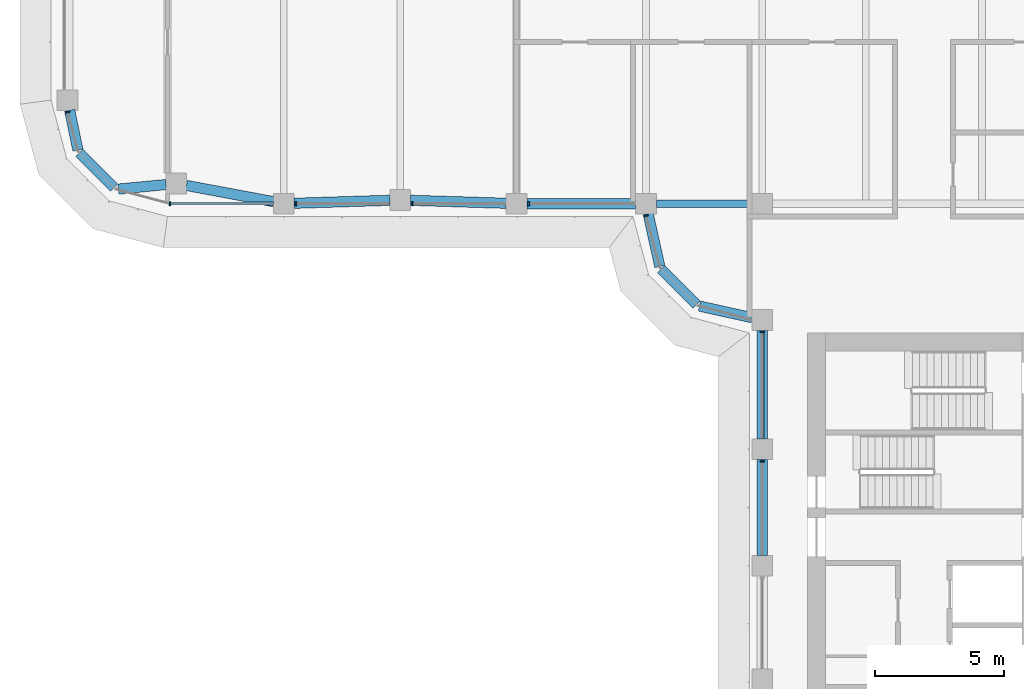
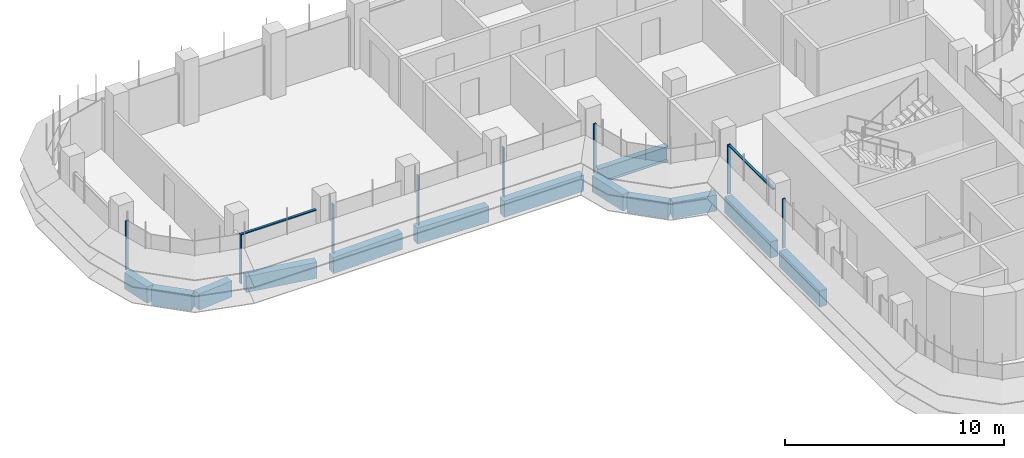
# One storey, part 3 of 20: 13 beams, 10 members, 4 elements without a shape of their own.
"""IFC4 building model written with IfcOpenShell, lengths in metres."""

from ifc_helpers import new_model, si_unit, direction, frame, origin, origin_2d, place, context, subcontext, project, spatial, polyline, rectangle, i_section, outline, extrude, source, transform, mapped, material, material_profile, profile_set, type_object, element, aggregate, save


model = new_model("IFC4")

# Units and contexts
model_context = context("Model", 3, precision=1e-05, world=origin(), true_north=direction((0.0, 1.0)))
body_context = subcontext(model_context, "Body", "Model", "MODEL_VIEW")
ifc_project = project(units=[si_unit("LENGTHUNIT", "METRE"), si_unit("AREAUNIT", "SQUARE_METRE"), si_unit("VOLUMEUNIT", "CUBIC_METRE"), si_unit("PLANEANGLEUNIT", "RADIAN"), si_unit("MASSUNIT", "GRAM", prefix="KILO")], contexts=[model_context])

# Site, building, storey
site_placement = place(None, origin())
site = spatial("IfcSite", under=ifc_project, at=site_placement, CompositionType="ELEMENT")
building_placement = place(site_placement, origin())
building = spatial("IfcBuilding", under=site, at=building_placement, Name="Zarbagh Exchange Tower", CompositionType="ELEMENT")
storey_placement = place(building_placement, frame((0.0, 0.0, 152.39990234375)))
storey = spatial("IfcBuildingStorey", under=building, at=storey_placement, Name="L36", CompositionType="ELEMENT", Elevation=152.39990234375)

# Beams
ifc_material_1 = material(Name="Steel ASTM A992 Gr 50", Category="steel")
ifc_material_profile_1 = material_profile(ifc_material_1, i_section(OverallWidth=0.2919921875, OverallDepth=0.835693359375, WebThickness=0.013916015625, FlangeThickness=0.018798828125, at=origin_2d()), Name="W33X118")
ifc_profile_set_1 = profile_set([ifc_material_profile_1], Name="Steel ASTM A992 Gr 50")
beam_type_1 = type_object("IfcBeamType", Name="Floor girder W33X118", PredefinedType="BEAM", material=ifc_profile_set_1)
beam_1_placement = place(storey_placement, frame((-10.35009765625, -6.25, -0.567626953125), z_axis=(1.0, 0.0, 0.0), x_axis=(0.0, 1.0, 0.0)))
element("IfcBeam", 1, at=beam_1_placement, inside=storey, type_object=beam_type_1, Name="Steel girder", PredefinedType="BEAM", context=body_context, shape_type="SweptSolid", body=[
    extrude(i_section(OverallWidth=0.2919921875, OverallDepth=0.835693359375, WebThickness=0.013916015625, FlangeThickness=0.018798828125, at=origin_2d()), origin(), (0.0, 0.0, 1.0), 3.7001953125),
])
ifc_material_2 = material(Name="Concrete C50/60", Category="concrete")
ifc_material_profile_2 = material_profile(ifc_material_2, rectangle(XDim=0.39990234375, YDim=0.89990234375, at=origin_2d()), Name="RC spandrel beam 400 x 900 C50/60")
ifc_profile_set_2 = profile_set([ifc_material_profile_2], Name="Concrete C50/60")
beam_type_2 = type_object("IfcBeamType", Name="RC spandrel beam 400 x 900 C50/60", PredefinedType="SPANDREL", material=ifc_profile_set_2)
beam_2_placement = place(storey_placement, frame((-6.25, -19.85009765625, -0.599853515625), z_axis=(0.0, 1.0, 0.0), x_axis=(-1.0, 0.0, 0.0)))
element("IfcBeam", 2, at=beam_2_placement, inside=storey, type_object=beam_type_2, Name="RC spandrel beam", PredefinedType="SPANDREL", context=body_context, shape_type="SweptSolid", body=[
    extrude(rectangle(XDim=0.39990234375, YDim=0.89990234375, at=origin_2d()), origin(), (0.0, 0.0, 1.0), 3.7001953125),
])
beam_3_placement = place(storey_placement, frame((-6.25, -15.35009765625, -0.599853515625), z_axis=(0.0, 1.0, 0.0), x_axis=(-1.0, 0.0, 0.0)))
element("IfcBeam", 3, at=beam_3_placement, inside=storey, type_object=beam_type_2, Name="RC spandrel beam", PredefinedType="SPANDREL", context=body_context, shape_type="SweptSolid", body=[
    extrude(rectangle(XDim=0.39990234375, YDim=0.89990234375, at=origin_2d()), origin(), (0.0, 0.0, 1.0), 4.2001953125),
])
beam_4_placement = place(storey_placement, frame((-6.640625, -10.66357421875, -0.599853515625), z_axis=(-0.976384278741, 0.216041061437, 0.0), x_axis=(-0.216041061437, -0.976384278741, 0.0)))
element("IfcBeam", 4, at=beam_4_placement, inside=storey, type_object=beam_type_2, Name="RC spandrel beam", PredefinedType="SPANDREL", context=body_context, shape_type="SweptSolid", body=[
    extrude(rectangle(XDim=0.39990234375, YDim=0.89990234375, at=origin_2d()), origin(), (0.0, 0.0, 1.0), 2.0927734375),
])
beam_5_placement = place(storey_placement, frame((-8.782470703125, -10.15771484375, -0.599853515625), z_axis=(-0.707106781187, 0.707106781187, 0.0), x_axis=(-0.707106781187, -0.707106781187, 0.0)))
element("IfcBeam", 5, at=beam_5_placement, inside=storey, type_object=beam_type_2, Name="RC spandrel beam", PredefinedType="SPANDREL", context=body_context, shape_type="SweptSolid", body=[
    extrude(rectangle(XDim=0.39990234375, YDim=0.89990234375, at=origin_2d()), origin(), (0.0, 0.0, 1.0), 1.94482421875),
])
beam_6_placement = place(storey_placement, frame((-10.21142578125, -8.68408203125, -0.599853515625), z_axis=(-0.216041061437, 0.976384278741, 0.0), x_axis=(-0.976384278741, -0.216041061437, 0.0)))
element("IfcBeam", 6, at=beam_6_placement, inside=storey, type_object=beam_type_2, Name="RC spandrel beam", PredefinedType="SPANDREL", context=body_context, shape_type="SweptSolid", body=[
    extrude(rectangle(XDim=0.39990234375, YDim=0.89990234375, at=origin_2d()), origin(), (0.0, 0.0, 1.0), 2.0927734375),
])
beam_7_placement = place(storey_placement, frame((-11.14990234375, -6.25, -0.599853515625), z_axis=(-1.0, 0.0, 0.0), x_axis=(0.0, -1.0, 0.0)))
element("IfcBeam", 7, at=beam_7_placement, inside=storey, type_object=beam_type_2, Name="RC spandrel beam", PredefinedType="SPANDREL", context=body_context, shape_type="SweptSolid", body=[
    extrude(rectangle(XDim=0.39990234375, YDim=0.89990234375, at=origin_2d()), origin(), (0.0, 0.0, 1.0), 4.2001953125),
])
for number, where, z_axis, x_axis, name in (
    (8, (-16.14990234375, -6.237548828125, -0.599853515625), (-0.999515416033, 0.031127690444, 0.0), (-0.031127690444, -0.999515416033, 0.0), "RC spandrel beam"),
    (9, (-20.64990234375, -6.122314453125, -0.599853515625), (-0.999515416033, -0.031127690444, 0.0), (0.031127690444, -0.999515416033, 0.0), "RC spandrel beam"),
):
    element("IfcBeam", number, at=place(storey_placement, frame(where, z_axis=z_axis, x_axis=x_axis)), inside=storey, type_object=beam_type_2, Name=name, PredefinedType="SPANDREL", context=body_context, shape_type="SweptSolid", body=[
        extrude(rectangle(XDim=0.39990234375, YDim=0.89990234375, at=origin_2d()), origin(), (0.0, 0.0, 1.0), 3.701904296875),
    ])
beam_8_placement = place(storey_placement, frame((-25.143310546875, -6.1767578125, -0.599853515625), z_axis=(-0.983069862768, 0.183231124313, 0.0), x_axis=(-0.183231124313, -0.983069862768, 0.0)))
element("IfcBeam", 10, at=beam_8_placement, inside=storey, type_object=beam_type_2, Name="RC spandrel beam", PredefinedType="SPANDREL", context=body_context, shape_type="SweptSolid", body=[
    extrude(rectangle(XDim=0.39990234375, YDim=0.89990234375, at=origin_2d()), origin(), (0.0, 0.0, 1.0), 3.4296875),
])
beam_9_placement = place(storey_placement, frame((-29.30615234375, -5.51318359375, -0.599853515625), z_axis=(-0.995435353267, -0.095438239015, 0.0), x_axis=(0.095438239015, -0.995435353267, 0.0)))
element("IfcBeam", 11, at=beam_9_placement, inside=storey, type_object=beam_type_2, Name="RC spandrel beam", PredefinedType="SPANDREL", context=body_context, shape_type="SweptSolid", body=[
    extrude(rectangle(XDim=0.39990234375, YDim=0.89990234375, at=origin_2d()), origin(), (0.0, 0.0, 1.0), 1.849609375),
])
beam_10_placement = place(storey_placement, frame((-31.307861328125, -5.632080078125, -0.599853515625), z_axis=(-0.707106781187, 0.707106781187, 0.0), x_axis=(-0.707106781187, -0.707106781187, 0.0)))
element("IfcBeam", 12, at=beam_10_placement, inside=storey, type_object=beam_type_2, Name="RC spandrel beam", PredefinedType="SPANDREL", context=body_context, shape_type="SweptSolid", body=[
    extrude(rectangle(XDim=0.39990234375, YDim=0.89990234375, at=origin_2d()), origin(), (0.0, 0.0, 1.0), 1.9072265625),
])
beam_11_placement = place(storey_placement, frame((-32.7109375, -4.1826171875, -0.599853515625), z_axis=(-0.20216948151, 0.979350550491, 0.0), x_axis=(-0.979350550491, -0.20216948151, 0.0)))
element("IfcBeam", 13, at=beam_11_placement, inside=storey, type_object=beam_type_2, Name="RC spandrel beam", PredefinedType="SPANDREL", context=body_context, shape_type="SweptSolid", body=[
    extrude(rectangle(XDim=0.39990234375, YDim=0.89990234375, at=origin_2d()), origin(), (0.0, 0.0, 1.0), 1.573486328125),
])

# Curtain wall, member
ifc_material_3 = material(Name="Anodised aluminium frame and glazing", Category="aluminium")
curtain_wall_type = type_object("IfcCurtainWallType", Name="CWB Ribbon glazing, upper zones", PredefinedType="NOTDEFINED", material=ifc_material_3)
curtain_wall_1_placement = place(storey_placement, origin())
curtain_wall_1 = element("IfcCurtainWall", 14, at=curtain_wall_1_placement, inside=storey, type_object=curtain_wall_type, Name="CWB37 curtain wall", PredefinedType="NOTDEFINED")
ifc_material_4 = material(Name="Anodised aluminium frame", Category="aluminium")
member_type_1 = type_object("IfcMemberType", Name="MUB Mullion, anodised aluminium frame", PredefinedType="MULLION", material=ifc_material_4)
shared_shape_1 = source(origin(), body_context, "Body", "SweptSolid", [
    extrude(outline(polyline([(0.0, -0.080078125), (0.06005859375, -0.080078125), (0.06005859375, 0.080078125), (0.0, 0.080078125), (0.0, -0.080078125)])), origin(), (0.0, 0.0, 1.0), 2.75),
])
placement = place(storey_placement, origin())
member_1 = element("IfcMember", 15, at=placement, type_object=member_type_1, Name="CWB37 mullion 1.1", PredefinedType="MULLION", context=body_context, shape_type="MappedRepresentation", body=[
    mapped(shared_shape_1, transform((-33.114501953125, -2.68994140625, 0.0), x_axis=(0.258824779902, -0.965924289636, 0.0), y_axis=(0.965924289636, 0.258824779902, 0.0), z_axis=(0.0, 0.0, 1.0))),
])
aggregate(curtain_wall_1, [member_1])

# Curtain wall, members
curtain_wall_2_placement = place(storey_placement, origin())
curtain_wall_2 = element("IfcCurtainWall", 16, at=curtain_wall_2_placement, inside=storey, type_object=curtain_wall_type, Name="CWB40 curtain wall", PredefinedType="NOTDEFINED")
member_2 = element("IfcMember", 17, at=placement, type_object=member_type_1, Name="CWB40 mullion 1.1", PredefinedType="MULLION", context=body_context, shape_type="MappedRepresentation", body=[
    mapped(shared_shape_1, transform((-29.18408203125, -6.25, 0.0), x_axis=(1.0, 0.0, 0.0), y_axis=(0.0, 1.0, 0.0), z_axis=(0.0, 0.0, 1.0))),
])
member_3 = element("IfcMember", 18, at=placement, type_object=member_type_1, Name="CWB40 mullion 2.1", PredefinedType="MULLION", context=body_context, shape_type="MappedRepresentation", body=[
    mapped(shared_shape_1, transform((-24.31005859375, -6.25, 0.0), x_axis=(1.0, 0.0, 0.0), y_axis=(0.0, 1.0, 0.0), z_axis=(0.0, 0.0, 1.0))),
])
member_4 = element("IfcMember", 19, at=placement, type_object=member_type_1, Name="CWB40 mullion 3.1", PredefinedType="MULLION", context=body_context, shape_type="MappedRepresentation", body=[
    mapped(shared_shape_1, transform((-19.81005859375, -6.25, 0.0), x_axis=(1.0, 0.0, 0.0), y_axis=(0.0, 1.0, 0.0), z_axis=(0.0, 0.0, 1.0))),
])
member_5 = element("IfcMember", 20, at=placement, type_object=member_type_1, Name="CWB40 mullion 4.1", PredefinedType="MULLION", context=body_context, shape_type="MappedRepresentation", body=[
    mapped(shared_shape_1, transform((-15.31005859375, -6.25, 0.0), x_axis=(1.0, 0.0, 0.0), y_axis=(0.0, 1.0, 0.0), z_axis=(0.0, 0.0, 1.0))),
])

# Curtain wall, member
curtain_wall_3_placement = place(storey_placement, origin())
curtain_wall_3 = element("IfcCurtainWall", 21, at=curtain_wall_3_placement, inside=storey, type_object=curtain_wall_type, Name="CWB41 curtain wall", PredefinedType="NOTDEFINED")
member_6 = element("IfcMember", 22, at=placement, type_object=member_type_1, Name="CWB41 mullion 1.1", PredefinedType="MULLION", context=body_context, shape_type="MappedRepresentation", body=[
    mapped(shared_shape_1, transform((-10.74853515625, -6.68994140625, 0.0), x_axis=(0.258824779902, -0.965924289636, 0.0), y_axis=(0.965924289636, 0.258824779902, 0.0), z_axis=(0.0, 0.0, 1.0))),
])
aggregate(curtain_wall_3, [member_6])

# Curtain wall, members
curtain_wall_4_placement = place(storey_placement, origin())
curtain_wall_4 = element("IfcCurtainWall", 23, at=curtain_wall_4_placement, inside=storey, type_object=curtain_wall_type, Name="CWB44 curtain wall", PredefinedType="NOTDEFINED")
member_7 = element("IfcMember", 24, at=placement, type_object=member_type_1, Name="CWB44 mullion 1.1", PredefinedType="MULLION", context=body_context, shape_type="MappedRepresentation", body=[
    mapped(shared_shape_1, transform((-6.25, -11.18994140625, 0.0), x_axis=(0.0, -1.0, 0.0), y_axis=(1.0, 0.0, 0.0), z_axis=(0.0, 0.0, 1.0))),
])
member_8 = element("IfcMember", 25, at=placement, type_object=member_type_1, Name="CWB44 mullion 2.1", PredefinedType="MULLION", context=body_context, shape_type="MappedRepresentation", body=[
    mapped(shared_shape_1, transform((-6.25, -16.18994140625, 0.0), x_axis=(0.0, -1.0, 0.0), y_axis=(1.0, 0.0, 0.0), z_axis=(0.0, 0.0, 1.0))),
])
member_type_2 = type_object("IfcMemberType", Name="TRB Transom, anodised aluminium frame", PredefinedType="USERDEFINED", material=ifc_material_4)
shared_shape_2 = source(origin(), body_context, "Body", "SweptSolid", [
    extrude(outline(polyline([(-0.06005859375, -0.06005859375), (0.0, -0.06005859375), (0.0, 0.06005859375), (-0.06005859375, 0.06005859375), (-0.06005859375, -0.06005859375)])), origin(), (0.0, 0.0, 1.0), 4.06005859375),
])
member_9 = element("IfcMember", 26, at=placement, type_object=member_type_2, Name="CWB44 transom 1.1", ObjectType="TRANSOM", PredefinedType="USERDEFINED", context=body_context, shape_type="MappedRepresentation", body=[
    mapped(shared_shape_2, transform((-6.25, -11.25, 2.75), x_axis=(0.0, 0.0, 1.0), y_axis=(-1.0, 0.0, 0.0), z_axis=(0.0, -1.0, 0.0))),
])
aggregate(curtain_wall_4, [member_7, member_9, member_8])

# Member
shared_shape_3 = source(origin(), body_context, "Body", "SweptSolid", [
    extrude(outline(polyline([(-0.06005859375, -0.06005859375), (0.0, -0.06005859375), (0.0, 0.06005859375), (-0.06005859375, 0.06005859375), (-0.06005859375, -0.06005859375)])), origin(), (0.0, 0.0, 1.0), 3.93408203125),
])
member_10 = element("IfcMember", 27, at=placement, type_object=member_type_2, Name="CWB40 transom 1.1", ObjectType="TRANSOM", PredefinedType="USERDEFINED", context=body_context, shape_type="MappedRepresentation", body=[
    mapped(shared_shape_3, transform((-29.124267578125, -6.25, 2.75), x_axis=(0.0, 0.0, 1.0), y_axis=(0.0, -1.0, 0.0), z_axis=(1.0, 0.0, 0.0))),
])

aggregate(curtain_wall_2, [member_2, member_10, member_3, member_4, member_5])

save(model, "model.ifc")
